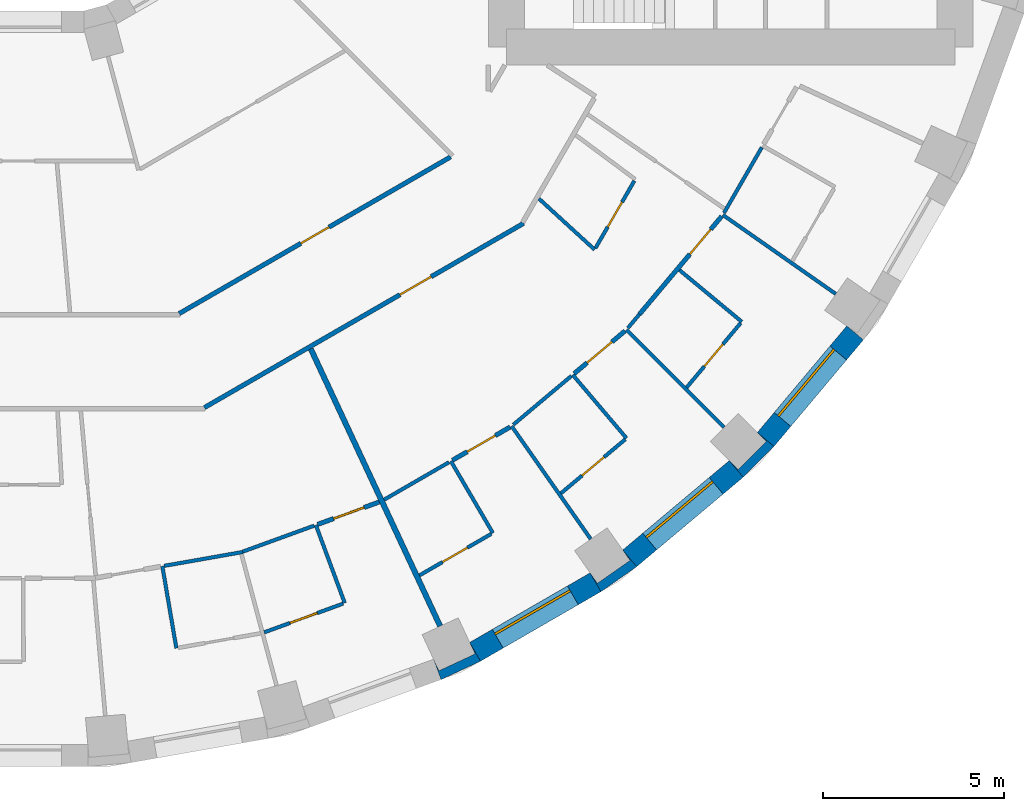
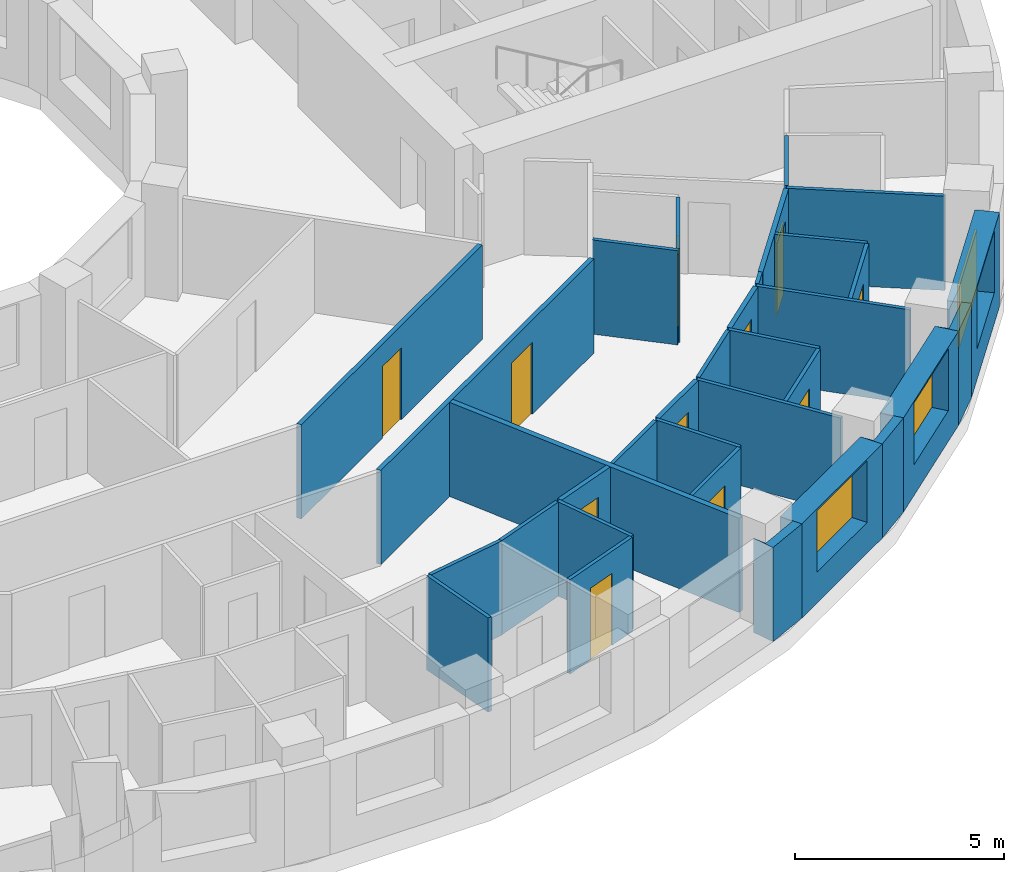
# One storey, part 7 of 15: 33 walls, 11 doors, 3 windows, 14 openings.
"""IFC4 building model written with IfcOpenShell, lengths in metres."""

from ifc_helpers import new_model, si_unit, direction, frame, frame_2d, origin, place, context, subcontext, project, spatial, polyline, rectangle, outline, extrude, material, layer, layer_set, type_object, element, fill, save


model = new_model("IFC4")

# Units and contexts
model_context = context("Model", 3, precision=1e-05, world=origin(), true_north=direction((0.0, 1.0)))
body_context = subcontext(model_context, "Body", "Model", "MODEL_VIEW")
ifc_project = project(units=[si_unit("LENGTHUNIT", "METRE"), si_unit("AREAUNIT", "SQUARE_METRE"), si_unit("VOLUMEUNIT", "CUBIC_METRE"), si_unit("PLANEANGLEUNIT", "RADIAN"), si_unit("MASSUNIT", "GRAM", prefix="KILO")], contexts=[model_context])

# Site, building, storey
site_placement = place(None, origin())
site = spatial("IfcSite", under=ifc_project, at=site_placement, CompositionType="ELEMENT")
building_placement = place(site_placement, origin())
building = spatial("IfcBuilding", under=site, at=building_placement, Name="Saqina Gate Tower", CompositionType="ELEMENT")
storey_placement = place(building_placement, frame((0.0, 0.0, 59.300048828125)))
storey = spatial("IfcBuildingStorey", under=building, at=storey_placement, Name="L16", CompositionType="ELEMENT", Elevation=59.300048828125)

# Walls
ifc_material_1 = material(Name="Brick masonry (red)", Category="masonry")
wall_type_1 = type_object("IfcWallType", Name="BRICK PIER COPING RED", PredefinedType="SOLIDWALL", material=ifc_material_1)
wall_1_placement = place(storey_placement, origin())
element("IfcWall", 1, at=wall_1_placement, inside=storey, type_object=wall_type_1, Name="Pier cap L16 column 30", PredefinedType="SOLIDWALL", context=body_context, shape_type="SweptSolid", body=[
    extrude(outline(polyline([(12.779541015625, -25.980712890625), (12.4794921875, -25.4609375), (12.627685546875, -25.778564453125), (11.630615234375, -26.243408203125), (11.482666015625, -25.92578125), (11.687744140625, -26.48974609375), (12.779541015625, -25.980712890625)])), origin(), (0.0, 0.0, 1.0), 2.75),
])
wall_2_placement = place(storey_placement, origin())
element("IfcWall", 2, at=wall_2_placement, inside=storey, type_object=wall_type_1, Name="Pier cap L16 column 31", PredefinedType="SOLIDWALL", context=body_context, shape_type="SweptSolid", body=[
    extrude(outline(polyline([(16.110107421875, -24.0576171875), (17.096923828125, -23.36669921875), (16.711181640625, -22.9072265625), (16.912109375, -23.194091796875), (16.010986328125, -23.8251953125), (15.81005859375, -23.5380859375), (16.110107421875, -24.0576171875)])), origin(), (0.0, 0.0, 1.0), 2.75),
])
wall_3_placement = place(storey_placement, origin())
element("IfcWall", 3, at=wall_3_placement, inside=storey, type_object=wall_type_1, Name="Pier cap L16 column 32", PredefinedType="SOLIDWALL", context=body_context, shape_type="SweptSolid", body=[
    extrude(outline(polyline([(20.894775390625, -20.04296875), (20.43505859375, -19.6572265625), (20.682861328125, -19.905029296875), (19.905029296875, -20.682861328125), (19.6572265625, -20.43505859375), (20.04296875, -20.894775390625), (20.894775390625, -20.04296875)])), origin(), (0.0, 0.0, 1.0), 2.75),
])

# Wall, opening, window
ifc_material_2 = material(Name="Brick masonry (red)", Category="masonry")
ifc_layer_1 = layer(ifc_material_2, 0.60009765625)
ifc_layer_set_1 = layer_set([ifc_layer_1], Name="FW-BRICK-RED")
wall_type_2 = type_object("IfcWallType", Name="FW-BRICK-RED", PredefinedType="SOLIDWALL", material=ifc_layer_set_1)
wall_4_placement = place(storey_placement, frame((12.629638671875, -25.720703125, 0.0), z_axis=(0.0, 0.0, 1.0), x_axis=(0.86603124159, 0.499989888488, 0.0)))
wall_4 = element("IfcWall", 4, at=wall_4_placement, inside=storey, type_object=wall_type_2, Name="Facade wall L16 facet 30", PredefinedType="SOLIDWALL", context=body_context, shape_type="SweptSolid", body=[
    extrude(rectangle(XDim=3.845703125, YDim=0.60009765625, at=frame_2d((1.9228515625, 0.0))), origin(), (0.0, 0.0, 1.0), 2.75),
])
opening_1_placement = place(wall_4_placement, frame((0.722900390625, 0.0, 0.89990234375)))
opening_1 = element("IfcOpeningElement", 5, at=opening_1_placement, cuts=wall_4, Name="Opening G04-W20", PredefinedType="OPENING", context=body_context, shape_type="SweptSolid", body=[
    extrude(rectangle(XDim=2.39990234375, YDim=1.800048828125, at=frame_2d((1.199951171875, 0.89990234375))), frame((0.0, 0.31201171875, 0.0), z_axis=(0.0, -1.0, 0.0), x_axis=(1.0, 0.0, 0.0)), (0.0, 0.0, 1.0), 0.6240234375),
])
ifc_material_3 = material(Name="Aluminium glazing", Category="aluminium")
window_type = type_object("IfcWindowType", Name="WN-A", PartitioningType="SINGLE_PANEL", PredefinedType="WINDOW", material=ifc_material_3)
window_1_placement = place(opening_1_placement, origin())
window_1 = element("IfcWindow", 6, at=window_1_placement, inside=storey, type_object=window_type, Name="Window L16 facet 30", OverallHeight=1.800048828125, OverallWidth=2.39990234375, PartitioningType="SINGLE_PANEL", PredefinedType="WINDOW", context=body_context, shape_type="SweptSolid", body=[
    extrude(rectangle(XDim=2.39990234375, YDim=1.800048828125, at=frame_2d((1.199951171875, 0.89990234375))), frame((0.0, 0.179931640625, 0.0), z_axis=(0.0, -1.0, 0.0), x_axis=(1.0, 0.0, 0.0)), (0.0, 0.0, 1.0), 0.06005859375),
])
fill(opening_1, window_1)

wall_5_placement = place(storey_placement, frame((16.904052734375, -23.136962890625, 0.0), z_axis=(0.0, 0.0, 1.0), x_axis=(0.766026164483, 0.642809392687, 0.0)))
wall_5 = element("IfcWall", 7, at=wall_5_placement, inside=storey, type_object=wall_type_2, Name="Facade wall L16 facet 31", PredefinedType="SOLIDWALL", context=body_context, shape_type="SweptSolid", body=[
    extrude(rectangle(XDim=3.845947265625, YDim=0.60009765625, at=frame_2d((1.9228515625, 0.0))), origin(), (0.0, 0.0, 1.0), 2.75),
])
opening_2_placement = place(wall_5_placement, frame((0.722900390625, 0.0, 0.89990234375)))
opening_2 = element("IfcOpeningElement", 8, at=opening_2_placement, cuts=wall_5, Name="Opening G04-W21", PredefinedType="OPENING", context=body_context, shape_type="SweptSolid", body=[
    extrude(rectangle(XDim=2.39990234375, YDim=1.800048828125, at=frame_2d((1.199951171875, 0.89990234375))), frame((0.0, 0.31201171875, 0.0), z_axis=(0.0, -1.0, 0.0), x_axis=(1.0, 0.0, 0.0)), (0.0, 0.0, 1.0), 0.6240234375),
])
window_2_placement = place(opening_2_placement, origin())
window_2 = element("IfcWindow", 9, at=window_2_placement, inside=storey, type_object=window_type, Name="Window L16 facet 31", OverallHeight=1.800048828125, OverallWidth=2.39990234375, PartitioningType="SINGLE_PANEL", PredefinedType="WINDOW", context=body_context, shape_type="SweptSolid", body=[
    extrude(rectangle(XDim=2.39990234375, YDim=1.800048828125, at=frame_2d((1.199951171875, 0.89990234375))), frame((0.0, 0.179931640625, 0.0), z_axis=(0.0, -1.0, 0.0), x_axis=(1.0, 0.0, 0.0)), (0.0, 0.0, 1.0), 0.06005859375),
])
fill(opening_2, window_2)

wall_6_placement = place(storey_placement, frame((20.664794921875, -19.85009765625, 0.0), z_axis=(0.0, 0.0, 1.0), x_axis=(0.642809392687, 0.766026164483, 0.0)))
wall_6 = element("IfcWall", 10, at=wall_6_placement, inside=storey, type_object=wall_type_2, Name="Facade wall L16 facet 32", PredefinedType="SOLIDWALL", context=body_context, shape_type="SweptSolid", body=[
    extrude(rectangle(XDim=3.845947265625, YDim=0.60009765625, at=frame_2d((1.9228515625, 0.0))), origin(), (0.0, 0.0, 1.0), 2.75),
])
opening_3_placement = place(wall_6_placement, frame((0.722900390625, 0.0, 0.89990234375)))
opening_3 = element("IfcOpeningElement", 11, at=opening_3_placement, cuts=wall_6, Name="Opening G04-W22", PredefinedType="OPENING", context=body_context, shape_type="SweptSolid", body=[
    extrude(rectangle(XDim=2.39990234375, YDim=1.800048828125, at=frame_2d((1.199951171875, 0.89990234375))), frame((0.0, 0.31201171875, 0.0), z_axis=(0.0, -1.0, 0.0), x_axis=(1.0, 0.0, 0.0)), (0.0, 0.0, 1.0), 0.6240234375),
])
window_3_placement = place(opening_3_placement, origin())
window_3 = element("IfcWindow", 12, at=window_3_placement, inside=storey, type_object=window_type, Name="Window L16 facet 32", OverallHeight=1.800048828125, OverallWidth=2.39990234375, PartitioningType="SINGLE_PANEL", PredefinedType="WINDOW", context=body_context, shape_type="SweptSolid", body=[
    extrude(rectangle(XDim=2.39990234375, YDim=1.800048828125, at=frame_2d((1.199951171875, 0.89990234375))), frame((0.0, 0.179931640625, 0.0), z_axis=(0.0, -1.0, 0.0), x_axis=(1.0, 0.0, 0.0)), (0.0, 0.0, 1.0), 0.06005859375),
])
fill(opening_3, window_3)

# Walls
ifc_material_4 = material(Name="Gypsum board on steel studs, 100 mm", Category="steel")
ifc_layer_2 = layer(ifc_material_4, 0.10009765625)
ifc_layer_set_2 = layer_set([ifc_layer_2], Name="PARTITION 100")
wall_type_3 = type_object("IfcWallType", Name="PARTITION 100", PredefinedType="PARTITIONING", material=ifc_layer_set_2)
wall_7_placement = place(storey_placement, frame((3.98291015625, -23.35302734375, 0.0), z_axis=(0.0, 0.0, 1.0), x_axis=(0.168356840278, -0.985726115273, 0.0)))
element("IfcWall", 13, at=wall_7_placement, inside=storey, type_object=wall_type_3, Name="PARTITION PW3-07", PredefinedType="PARTITIONING", context=body_context, shape_type="SweptSolid", body=[
    extrude(rectangle(XDim=2.2998046875, YDim=0.10009765625, at=frame_2d((1.14990234375, 0.0))), origin(), (0.0, 0.0, 1.0), 2.75),
])
wall_8_placement = place(storey_placement, frame((8.22705078125, -22.216064453125, 0.0), z_axis=(0.0, 0.0, 1.0), x_axis=(0.347431936108, -0.937705204087, 0.0)))
element("IfcWall", 14, at=wall_8_placement, inside=storey, type_object=wall_type_3, Name="PARTITION PW3-13", PredefinedType="PARTITIONING", context=body_context, shape_type="SweptSolid", body=[
    extrude(rectangle(XDim=2.29931640625, YDim=0.10009765625, at=frame_2d((1.149658203125, 0.0))), origin(), (0.0, 0.0, 1.0), 2.75),
])
wall_9_placement = place(storey_placement, frame((11.9599609375, -20.448974609375, 0.0), z_axis=(0.0, 0.0, 1.0), x_axis=(0.504708754908, -0.863289680651, 0.0)))
element("IfcWall", 15, at=wall_9_placement, inside=storey, type_object=wall_type_3, Name="PARTITION PW3-18", PredefinedType="PARTITIONING", context=body_context, shape_type="SweptSolid", body=[
    extrude(rectangle(XDim=2.300537109375, YDim=0.10009765625, at=frame_2d((1.150390625, 0.0))), origin(), (0.0, 0.0, 1.0), 2.75),
])
wall_10_placement = place(storey_placement, frame((13.639892578125, -19.47998046875, 0.0), z_axis=(0.0, 0.0, 1.0), x_axis=(0.573574167811, -0.819153632733, 0.0)))
element("IfcWall", 16, at=wall_10_placement, inside=storey, type_object=wall_type_3, Name="PARTITION PW3-20", PredefinedType="PARTITIONING", context=body_context, shape_type="SweptSolid", body=[
    extrude(rectangle(XDim=3.8095703125, YDim=0.10009765625, at=frame_2d((1.90478515625, 0.0))), origin(), (0.0, 0.0, 1.0), 2.75),
])
wall_11_placement = place(storey_placement, frame((15.3291015625, -18.06201171875, 0.0), z_axis=(0.0, 0.0, 1.0), x_axis=(0.646883930741, -0.762588473653, 0.0)))
element("IfcWall", 17, at=wall_11_placement, inside=storey, type_object=wall_type_3, Name="PARTITION PW3-24", PredefinedType="PARTITIONING", context=body_context, shape_type="SweptSolid", body=[
    extrude(rectangle(XDim=2.300048828125, YDim=0.10009765625, at=frame_2d((1.14990234375, 0.0))), origin(), (0.0, 0.0, 1.0), 2.75),
])
wall_12_placement = place(storey_placement, frame((16.81494140625, -16.81494140625, 0.0), z_axis=(0.0, 0.0, 1.0), x_axis=(0.707106781187, -0.707106781187, 0.0)))
element("IfcWall", 18, at=wall_12_placement, inside=storey, type_object=wall_type_3, Name="PARTITION PW3-26", PredefinedType="PARTITIONING", context=body_context, shape_type="SweptSolid", body=[
    extrude(rectangle(XDim=3.81005859375, YDim=0.10009765625, at=frame_2d((1.905029296875, 0.0))), origin(), (0.0, 0.0, 1.0), 2.75),
])
wall_13_placement = place(storey_placement, frame((14.394287109375, -13.1904296875, 0.0), z_axis=(0.0, 0.0, 1.0), x_axis=(0.73735307629, -0.675507543175, 0.0)))
element("IfcWall", 19, at=wall_13_placement, inside=storey, type_object=wall_type_3, Name="PARTITION PW3-28", PredefinedType="PARTITIONING", context=body_context, shape_type="SweptSolid", body=[
    extrude(rectangle(XDim=2.08837890625, YDim=0.10009765625, at=frame_2d((1.044189453125, 0.0))), origin(), (0.0, 0.0, 1.0), 2.75),
])
wall_14_placement = place(storey_placement, frame((18.281005859375, -15.166015625, 0.0), z_axis=(0.0, 0.0, 1.0), x_axis=(0.769748804589, -0.638346910257, 0.0)))
element("IfcWall", 20, at=wall_14_placement, inside=storey, type_object=wall_type_3, Name="PARTITION PW3-33", PredefinedType="PARTITIONING", context=body_context, shape_type="SweptSolid", body=[
    extrude(rectangle(XDim=2.237060546875, YDim=0.10009765625, at=frame_2d((1.11865234375, 0.0))), origin(), (0.0, 0.0, 1.0), 2.75),
])
wall_15_placement = place(storey_placement, frame((19.47998046875, -13.639892578125, 0.0), z_axis=(0.0, 0.0, 1.0), x_axis=(0.819153632733, -0.573574167811, 0.0)))
element("IfcWall", 21, at=wall_15_placement, inside=storey, type_object=wall_type_3, Name="PARTITION PW3-37", PredefinedType="PARTITIONING", context=body_context, shape_type="SweptSolid", body=[
    extrude(rectangle(XDim=3.8095703125, YDim=0.10009765625, at=frame_2d((1.90478515625, 0.0))), origin(), (0.0, 0.0, 1.0), 2.75),
])
wall_16_placement = place(storey_placement, frame((4.0322265625, -23.34423828125, 0.0), z_axis=(0.0, 0.0, 1.0), x_axis=(0.98481362095, 0.173614895648, 0.0)))
element("IfcWall", 22, at=wall_16_placement, inside=storey, type_object=wall_type_3, Name="PARTITION PW3-64", PredefinedType="PARTITIONING", context=body_context, shape_type="SweptSolid", body=[
    extrude(rectangle(XDim=2.206298828125, YDim=0.10009765625, at=frame_2d((1.10302734375, 0.0))), origin(), (0.0, 0.0, 1.0), 2.75),
])

# Wall, opening, door
wall_17_placement = place(storey_placement, frame((6.799072265625, -25.182861328125, 0.0), z_axis=(0.0, 0.0, 1.0), x_axis=(0.939655079874, 0.342123268526, 0.0)))
wall_17 = element("IfcWall", 23, at=wall_17_placement, inside=storey, type_object=wall_type_3, Name="PARTITION PW3-67", PredefinedType="PARTITIONING", context=body_context, shape_type="SweptSolid", body=[
    extrude(rectangle(XDim=2.31982421875, YDim=0.10009765625, at=frame_2d((1.159912109375, 0.0))), origin(), (0.0, 0.0, 1.0), 2.75),
])
opening_4_placement = place(wall_17_placement, frame((0.760009765625, 0.0, 0.0)))
opening_4 = element("IfcOpeningElement", 24, at=opening_4_placement, cuts=wall_17, Name="Opening G04-D54", PredefinedType="OPENING", context=body_context, shape_type="SweptSolid", body=[
    extrude(rectangle(XDim=0.800048828125, YDim=2.10009765625, at=frame_2d((0.39990234375, 1.050048828125))), frame((0.0, 0.06201171875, 0.0), z_axis=(0.0, -1.0, 0.0), x_axis=(1.0, 0.0, 0.0)), (0.0, 0.0, 1.0), 0.1240234375),
])
ifc_material_5 = material(Name="Timber door leaf, 800 mm", Category="wood")
door_type_1 = type_object("IfcDoorType", Name="DOOR 800 TIMBER", OperationType="SINGLE_SWING_LEFT", PredefinedType="DOOR", material=ifc_material_5)
door_1_placement = place(opening_4_placement, frame((0.800048828125, 0.0, 0.0), z_axis=(0.0, 0.0, 1.0), x_axis=(-1.0, 0.0, 0.0)))
door_1 = element("IfcDoor", 25, at=door_1_placement, inside=storey, type_object=door_type_1, Name="DOOR G04-D54", OperationType="SINGLE_SWING_RIGHT", OverallHeight=2.10009765625, OverallWidth=0.800048828125, PredefinedType="DOOR", context=body_context, shape_type="SweptSolid", body=[
    extrude(rectangle(XDim=0.800048828125, YDim=2.10009765625, at=frame_2d((0.39990234375, 1.050048828125))), frame((0.0, 0.02490234375, 0.0), z_axis=(0.0, -1.0, 0.0), x_axis=(1.0, 0.0, 0.0)), (0.0, 0.0, 1.0), 0.050048828125),
])
fill(opening_4, door_1)

# Wall
wall_18_placement = place(storey_placement, frame((6.201904296875, -22.952880859375, 0.0), z_axis=(0.0, 0.0, 1.0), x_axis=(0.939725675468, 0.341929312674, 0.0)))
element("IfcWall", 26, at=wall_18_placement, inside=storey, type_object=wall_type_3, Name="PARTITION PW3-68", PredefinedType="PARTITIONING", context=body_context, shape_type="SweptSolid", body=[
    extrude(rectangle(XDim=2.10498046875, YDim=0.10009765625, at=frame_2d((1.052490234375, 0.0))), origin(), (0.0, 0.0, 1.0), 2.75),
])

# Wall, opening, door
wall_19_placement = place(storey_placement, frame((11.091064453125, -23.607421875, 0.0), z_axis=(0.0, 0.0, 1.0), x_axis=(0.865928578621, 0.500167668615, 0.0)))
wall_19 = element("IfcWall", 27, at=wall_19_placement, inside=storey, type_object=wall_type_3, Name="PARTITION PW3-72", PredefinedType="PARTITIONING", context=body_context, shape_type="SweptSolid", body=[
    extrude(rectangle(XDim=2.294189453125, YDim=0.10009765625, at=frame_2d((1.14697265625, 0.0))), origin(), (0.0, 0.0, 1.0), 2.75),
])
opening_5_placement = place(wall_19_placement, frame((0.734619140625, 0.0, 0.0)))
opening_5 = element("IfcOpeningElement", 28, at=opening_5_placement, cuts=wall_19, Name="Opening G04-D56", PredefinedType="OPENING", context=body_context, shape_type="SweptSolid", body=[
    extrude(rectangle(XDim=0.800048828125, YDim=2.10009765625, at=frame_2d((0.39990234375, 1.050048828125))), frame((0.0, 0.06201171875, 0.0), z_axis=(0.0, -1.0, 0.0), x_axis=(1.0, 0.0, 0.0)), (0.0, 0.0, 1.0), 0.1240234375),
])
door_2_placement = place(opening_5_placement, frame((0.800048828125, 0.0, 0.0), z_axis=(0.0, 0.0, 1.0), x_axis=(-1.0, 0.0, 0.0)))
door_2 = element("IfcDoor", 29, at=door_2_placement, inside=storey, type_object=door_type_1, Name="DOOR G04-D56", OperationType="SINGLE_SWING_RIGHT", OverallHeight=2.10009765625, OverallWidth=0.800048828125, PredefinedType="DOOR", context=body_context, shape_type="SweptSolid", body=[
    extrude(rectangle(XDim=0.800048828125, YDim=2.10009765625, at=frame_2d((0.39990234375, 1.050048828125))), frame((0.0, 0.02490234375, 0.0), z_axis=(0.0, -1.0, 0.0), x_axis=(1.0, 0.0, 0.0)), (0.0, 0.0, 1.0), 0.050048828125),
])
fill(opening_5, door_2)

# Wall
wall_20_placement = place(storey_placement, frame((10.114990234375, -21.514404296875, 0.0), z_axis=(0.0, 0.0, 1.0), x_axis=(0.865967335607, 0.500100563549, 0.0)))
element("IfcWall", 30, at=wall_20_placement, inside=storey, type_object=wall_type_3, Name="PARTITION PW3-73", PredefinedType="PARTITIONING", context=body_context, shape_type="SweptSolid", body=[
    extrude(rectangle(XDim=2.06787109375, YDim=0.10009765625, at=frame_2d((1.033935546875, 0.0))), origin(), (0.0, 0.0, 1.0), 2.75),
])

# Wall, opening, door
wall_21_placement = place(storey_placement, frame((15.002197265625, -21.3388671875, 0.0), z_axis=(0.0, 0.0, 1.0), x_axis=(0.766051078848, 0.642779701449, 0.0)))
wall_21 = element("IfcWall", 31, at=wall_21_placement, inside=storey, type_object=wall_type_3, Name="PARTITION PW3-79", PredefinedType="PARTITIONING", context=body_context, shape_type="SweptSolid", body=[
    extrude(rectangle(XDim=2.319091796875, YDim=0.10009765625, at=frame_2d((1.15966796875, 0.0))), origin(), (0.0, 0.0, 1.0), 2.75),
])
opening_6_placement = place(wall_21_placement, frame((0.759521484375, 0.0, 0.0)))
opening_6 = element("IfcOpeningElement", 32, at=opening_6_placement, cuts=wall_21, Name="Opening G04-D61", PredefinedType="OPENING", context=body_context, shape_type="SweptSolid", body=[
    extrude(rectangle(XDim=0.800048828125, YDim=2.10009765625, at=frame_2d((0.39990234375, 1.050048828125))), frame((0.0, 0.06201171875, 0.0), z_axis=(0.0, -1.0, 0.0), x_axis=(1.0, 0.0, 0.0)), (0.0, 0.0, 1.0), 0.1240234375),
])
door_3_placement = place(opening_6_placement, frame((0.800048828125, 0.0, 0.0), z_axis=(0.0, 0.0, 1.0), x_axis=(-1.0, 0.0, 0.0)))
door_3 = element("IfcDoor", 33, at=door_3_placement, inside=storey, type_object=door_type_1, Name="DOOR G04-D61", OperationType="SINGLE_SWING_RIGHT", OverallHeight=2.10009765625, OverallWidth=0.800048828125, PredefinedType="DOOR", context=body_context, shape_type="SweptSolid", body=[
    extrude(rectangle(XDim=0.800048828125, YDim=2.10009765625, at=frame_2d((0.39990234375, 1.050048828125))), frame((0.0, 0.02490234375, 0.0), z_axis=(0.0, -1.0, 0.0), x_axis=(1.0, 0.0, 0.0)), (0.0, 0.0, 1.0), 0.050048828125),
])
fill(opening_6, door_3)

# Wall
wall_22_placement = place(storey_placement, frame((13.68798828125, -19.439697265625, 0.0), z_axis=(0.0, 0.0, 1.0), x_axis=(0.765911671875, 0.642945807114, 0.0)))
element("IfcWall", 34, at=wall_22_placement, inside=storey, type_object=wall_type_3, Name="PARTITION PW3-80", PredefinedType="PARTITIONING", context=body_context, shape_type="SweptSolid", body=[
    extrude(rectangle(XDim=2.092529296875, YDim=0.10009765625, at=frame_2d((1.04638671875, 0.0))), origin(), (0.0, 0.0, 1.0), 2.75),
])

# Wall, opening, door
wall_23_placement = place(storey_placement, frame((18.480224609375, -18.40966796875, 0.0), z_axis=(0.0, 0.0, 1.0), x_axis=(0.642624220064, 0.766181513603, 0.0)))
wall_23 = element("IfcWall", 35, at=wall_23_placement, inside=storey, type_object=wall_type_3, Name="PARTITION PW3-85", PredefinedType="PARTITIONING", context=body_context, shape_type="SweptSolid", body=[
    extrude(rectangle(XDim=2.31982421875, YDim=0.10009765625, at=frame_2d((1.159912109375, 0.0))), origin(), (0.0, 0.0, 1.0), 2.75),
])
opening_7_placement = place(wall_23_placement, frame((0.760009765625, 0.0, 0.0)))
opening_7 = element("IfcOpeningElement", 36, at=opening_7_placement, cuts=wall_23, Name="Opening G04-D63", PredefinedType="OPENING", context=body_context, shape_type="SweptSolid", body=[
    extrude(rectangle(XDim=0.800048828125, YDim=2.10009765625, at=frame_2d((0.39990234375, 1.050048828125))), frame((0.0, 0.06201171875, 0.0), z_axis=(0.0, -1.0, 0.0), x_axis=(1.0, 0.0, 0.0)), (0.0, 0.0, 1.0), 0.1240234375),
])
door_4_placement = place(opening_7_placement, frame((0.800048828125, 0.0, 0.0), z_axis=(0.0, 0.0, 1.0), x_axis=(-1.0, 0.0, 0.0)))
door_4 = element("IfcDoor", 37, at=door_4_placement, inside=storey, type_object=door_type_1, Name="DOOR G04-D63", OperationType="SINGLE_SWING_LEFT", OverallHeight=2.10009765625, OverallWidth=0.800048828125, PredefinedType="DOOR", context=body_context, shape_type="SweptSolid", body=[
    extrude(rectangle(XDim=0.800048828125, YDim=2.10009765625, at=frame_2d((0.39990234375, 1.050048828125))), frame((0.0, 0.02490234375, 0.0), z_axis=(0.0, -1.0, 0.0), x_axis=(1.0, 0.0, 0.0)), (0.0, 0.0, 1.0), 0.050048828125),
])
fill(opening_7, door_4)

# Walls
wall_24_placement = place(storey_placement, frame((16.855224609375, -16.76708984375, 0.0), z_axis=(0.0, 0.0, 1.0), x_axis=(0.643065922472, 0.765810824784, 0.0)))
element("IfcWall", 38, at=wall_24_placement, inside=storey, type_object=wall_type_3, Name="PARTITION PW3-86", PredefinedType="PARTITIONING", context=body_context, shape_type="SweptSolid", body=[
    extrude(rectangle(XDim=0.499267578125, YDim=0.10009765625, at=frame_2d((0.24951171875, 0.0))), origin(), (0.0, 0.0, 1.0), 2.75),
])
wall_25_placement = place(storey_placement, frame((19.51123046875, -13.5859375, 0.0), z_axis=(0.0, 0.0, 1.0), x_axis=(0.499752749986, 0.866168106594, 0.0)))
element("IfcWall", 39, at=wall_25_placement, inside=storey, type_object=wall_type_3, Name="PARTITION PW3-92", PredefinedType="PARTITIONING", context=body_context, shape_type="SweptSolid", body=[
    extrude(rectangle(XDim=2.0927734375, YDim=0.10009765625, at=frame_2d((1.04638671875, 0.0))), origin(), (0.0, 0.0, 1.0), 2.75),
])

# Wall, opening, door
wall_26_placement = place(storey_placement, frame((15.958984375, -14.5576171875, 0.0), z_axis=(0.0, 0.0, 1.0), x_axis=(0.500017897371, 0.866015070486, 0.0)))
wall_26 = element("IfcWall", 40, at=wall_26_placement, inside=storey, type_object=wall_type_3, Name="PARTITION PW3-93", PredefinedType="PARTITIONING", context=body_context, shape_type="SweptSolid", body=[
    extrude(rectangle(XDim=2.14599609375, YDim=0.10009765625, at=frame_2d((1.072998046875, 0.0))), origin(), (0.0, 0.0, 1.0), 2.75),
])
opening_8_placement = place(wall_26_placement, frame((0.673095703125, 0.0, 0.0)))
opening_8 = element("IfcOpeningElement", 41, at=opening_8_placement, cuts=wall_26, Name="Opening G04-D64", PredefinedType="OPENING", context=body_context, shape_type="SweptSolid", body=[
    extrude(rectangle(XDim=0.800048828125, YDim=2.10009765625, at=frame_2d((0.39990234375, 1.050048828125))), frame((0.0, 0.06201171875, 0.0), z_axis=(0.0, -1.0, 0.0), x_axis=(1.0, 0.0, 0.0)), (0.0, 0.0, 1.0), 0.1240234375),
])
door_5_placement = place(opening_8_placement, frame((0.800048828125, 0.0, 0.0), z_axis=(0.0, 0.0, 1.0), x_axis=(-1.0, 0.0, 0.0)))
door_5 = element("IfcDoor", 42, at=door_5_placement, inside=storey, type_object=door_type_1, Name="DOOR G04-D64", OperationType="SINGLE_SWING_LEFT", OverallHeight=2.10009765625, OverallWidth=0.800048828125, PredefinedType="DOOR", context=body_context, shape_type="SweptSolid", body=[
    extrude(rectangle(XDim=0.800048828125, YDim=2.10009765625, at=frame_2d((0.39990234375, 1.050048828125))), frame((0.0, 0.02490234375, 0.0), z_axis=(0.0, -1.0, 0.0), x_axis=(1.0, 0.0, 0.0)), (0.0, 0.0, 1.0), 0.050048828125),
])
fill(opening_8, door_5)

ifc_material_6 = material(Name="Gypsum board on steel studs, 125 mm, fire rated", Category="steel")
ifc_layer_3 = layer(ifc_material_6, 0.125)
ifc_layer_set_3 = layer_set([ifc_layer_3], Name="PARTITION EI 30 125")
wall_type_4 = type_object("IfcWallType", Name="PARTITION EI 30 125", PredefinedType="PARTITIONING", material=ifc_layer_set_3)
wall_27_placement = place(storey_placement, frame((8.27392578125, -22.198974609375, 0.0), z_axis=(0.0, 0.0, 1.0), x_axis=(0.939592989856, 0.342293753104, 0.0)))
wall_27 = element("IfcWall", 43, at=wall_27_placement, inside=storey, type_object=wall_type_4, Name="PARTITION PW1-29", PredefinedType="PARTITIONING", context=body_context, shape_type="SweptSolid", body=[
    extrude(rectangle(XDim=1.815185546875, YDim=0.125, at=frame_2d((0.90771484375, 0.0))), origin(), (0.0, 0.0, 1.0), 2.75),
])
opening_9_placement = place(wall_27_placement, frame((0.47021484375, 0.0, 0.0)))
opening_9 = element("IfcOpeningElement", 44, at=opening_9_placement, cuts=wall_27, Name="Opening G04-D55", PredefinedType="OPENING", context=body_context, shape_type="SweptSolid", body=[
    extrude(rectangle(XDim=0.89990234375, YDim=2.10009765625, at=frame_2d((0.449951171875, 1.050048828125))), frame((0.0, 0.074462890625, 0.0), z_axis=(0.0, -1.0, 0.0), x_axis=(1.0, 0.0, 0.0)), (0.0, 0.0, 1.0), 0.14892578125),
])
ifc_material_7 = material(Name="Fire door leaf EI 30, 900 mm")
door_type_2 = type_object("IfcDoorType", Name="DOOR 900 EI 30", OperationType="SINGLE_SWING_LEFT", PredefinedType="DOOR", material=ifc_material_7)
door_6_placement = place(opening_9_placement, origin())
door_6 = element("IfcDoor", 45, at=door_6_placement, inside=storey, type_object=door_type_2, Name="DOOR G04-D55", OperationType="SINGLE_SWING_RIGHT", OverallHeight=2.10009765625, OverallWidth=0.89990234375, PredefinedType="DOOR", context=body_context, shape_type="SweptSolid", body=[
    extrude(rectangle(XDim=0.89990234375, YDim=2.10009765625, at=frame_2d((0.449951171875, 1.050048828125))), frame((0.0, 0.02490234375, 0.0), z_axis=(0.0, -1.0, 0.0), x_axis=(1.0, 0.0, 0.0)), (0.0, 0.0, 1.0), 0.050048828125),
])
fill(opening_9, door_6)

wall_28_placement = place(storey_placement, frame((12.00341796875, -20.424072265625, 0.0), z_axis=(0.0, 0.0, 1.0), x_axis=(0.866538954681, 0.499109446936, 0.0)))
wall_28 = element("IfcWall", 46, at=wall_28_placement, inside=storey, type_object=wall_type_4, Name="PARTITION PW1-31", PredefinedType="PARTITIONING", context=body_context, shape_type="SweptSolid", body=[
    extrude(rectangle(XDim=1.839111328125, YDim=0.125, at=frame_2d((0.91943359375, 0.0))), origin(), (0.0, 0.0, 1.0), 2.75),
])
opening_10_placement = place(wall_28_placement, frame((0.4697265625, 0.0, 0.0)))
opening_10 = element("IfcOpeningElement", 47, at=opening_10_placement, cuts=wall_28, Name="Opening G04-D59", PredefinedType="OPENING", context=body_context, shape_type="SweptSolid", body=[
    extrude(rectangle(XDim=0.89990234375, YDim=2.10009765625, at=frame_2d((0.449951171875, 1.050048828125))), frame((0.0, 0.074462890625, 0.0), z_axis=(0.0, -1.0, 0.0), x_axis=(1.0, 0.0, 0.0)), (0.0, 0.0, 1.0), 0.14892578125),
])
door_7_placement = place(opening_10_placement, origin())
door_7 = element("IfcDoor", 48, at=door_7_placement, inside=storey, type_object=door_type_2, Name="DOOR G04-D59", OperationType="SINGLE_SWING_RIGHT", OverallHeight=2.10009765625, OverallWidth=0.89990234375, PredefinedType="DOOR", context=body_context, shape_type="SweptSolid", body=[
    extrude(rectangle(XDim=0.89990234375, YDim=2.10009765625, at=frame_2d((0.449951171875, 1.050048828125))), frame((0.0, 0.02490234375, 0.0), z_axis=(0.0, -1.0, 0.0), x_axis=(1.0, 0.0, 0.0)), (0.0, 0.0, 1.0), 0.050048828125),
])
fill(opening_10, door_7)

wall_29_placement = place(storey_placement, frame((5.14501953125, -18.96875, 0.0), z_axis=(0.0, 0.0, 1.0), x_axis=(0.866024825845, 0.50000100102, 0.0)))
wall_29 = element("IfcWall", 49, at=wall_29_placement, inside=storey, type_object=wall_type_4, Name="PARTITION PW1-33", PredefinedType="PARTITIONING", context=body_context, shape_type="SweptSolid", body=[
    extrude(rectangle(XDim=10.19189453125, YDim=0.125, at=frame_2d((5.095947265625, 0.0))), origin(), (0.0, 0.0, 1.0), 2.75),
])
opening_11_placement = place(wall_29_placement, frame((6.24267578125, 0.0, 0.0)))
opening_11 = element("IfcOpeningElement", 50, at=opening_11_placement, cuts=wall_29, Name="Opening G04-D60", PredefinedType="OPENING", context=body_context, shape_type="SweptSolid", body=[
    extrude(rectangle(XDim=1.0, YDim=2.10009765625, at=frame_2d((0.5, 1.050048828125))), frame((0.0, 0.074462890625, 0.0), z_axis=(0.0, -1.0, 0.0), x_axis=(1.0, 0.0, 0.0)), (0.0, 0.0, 1.0), 0.14892578125),
])
ifc_material_8 = material(Name="Fire door leaf EI 30, 1000 mm")
door_type_3 = type_object("IfcDoorType", Name="DOOR 1000 EI 30", OperationType="SINGLE_SWING_LEFT", PredefinedType="DOOR", material=ifc_material_8)
door_8_placement = place(opening_11_placement, frame((1.0, 0.0, 0.0), z_axis=(0.0, 0.0, 1.0), x_axis=(-1.0, 0.0, 0.0)))
door_8 = element("IfcDoor", 51, at=door_8_placement, inside=storey, type_object=door_type_3, Name="DOOR G04-D60", OperationType="SINGLE_SWING_LEFT", OverallHeight=2.10009765625, OverallWidth=1.0, PredefinedType="DOOR", context=body_context, shape_type="SweptSolid", body=[
    extrude(rectangle(XDim=1.0, YDim=2.10009765625, at=frame_2d((0.5, 1.050048828125))), frame((0.0, 0.02490234375, 0.0), z_axis=(0.0, -1.0, 0.0), x_axis=(1.0, 0.0, 0.0)), (0.0, 0.0, 1.0), 0.050048828125),
])
fill(opening_11, door_8)

wall_30_placement = place(storey_placement, frame((4.4482421875, -16.36865234375, 0.0), z_axis=(0.0, 0.0, 1.0), x_axis=(0.866072505035, 0.499918409365, 0.0)))
wall_30 = element("IfcWall", 52, at=wall_30_placement, inside=storey, type_object=wall_type_4, Name="PARTITION PW1-34", PredefinedType="PARTITIONING", context=body_context, shape_type="SweptSolid", body=[
    extrude(rectangle(XDim=8.6640625, YDim=0.125, at=frame_2d((4.33203125, 0.0))), origin(), (0.0, 0.0, 1.0), 2.75),
])
opening_12_placement = place(wall_30_placement, frame((3.882080078125, 0.0, 0.0)))
opening_12 = element("IfcOpeningElement", 53, at=opening_12_placement, cuts=wall_30, Name="Opening G04-D58", PredefinedType="OPENING", context=body_context, shape_type="SweptSolid", body=[
    extrude(rectangle(XDim=0.89990234375, YDim=2.10009765625, at=frame_2d((0.449951171875, 1.050048828125))), frame((0.0, 0.074462890625, 0.0), z_axis=(0.0, -1.0, 0.0), x_axis=(1.0, 0.0, 0.0)), (0.0, 0.0, 1.0), 0.14892578125),
])
door_9_placement = place(opening_12_placement, origin())
door_9 = element("IfcDoor", 54, at=door_9_placement, inside=storey, type_object=door_type_2, Name="DOOR G04-D58", OperationType="SINGLE_SWING_RIGHT", OverallHeight=2.10009765625, OverallWidth=0.89990234375, PredefinedType="DOOR", context=body_context, shape_type="SweptSolid", body=[
    extrude(rectangle(XDim=0.89990234375, YDim=2.10009765625, at=frame_2d((0.449951171875, 1.050048828125))), frame((0.0, 0.02490234375, 0.0), z_axis=(0.0, -1.0, 0.0), x_axis=(1.0, 0.0, 0.0)), (0.0, 0.0, 1.0), 0.050048828125),
])
fill(opening_12, door_9)

wall_31_placement = place(storey_placement, frame((15.3671875, -18.02978515625, 0.0), z_axis=(0.0, 0.0, 1.0), x_axis=(0.766052425686, 0.642778096314, 0.0)))
wall_31 = element("IfcWall", 55, at=wall_31_placement, inside=storey, type_object=wall_type_4, Name="PARTITION PW1-39", PredefinedType="PARTITIONING", context=body_context, shape_type="SweptSolid", body=[
    extrude(rectangle(XDim=1.83984375, YDim=0.125, at=frame_2d((0.919921875, 0.0))), origin(), (0.0, 0.0, 1.0), 2.75),
])
opening_13_placement = place(wall_31_placement, frame((0.469970703125, 0.0, 0.0)))
opening_13 = element("IfcOpeningElement", 56, at=opening_13_placement, cuts=wall_31, Name="Opening G04-D62", PredefinedType="OPENING", context=body_context, shape_type="SweptSolid", body=[
    extrude(rectangle(XDim=0.89990234375, YDim=2.10009765625, at=frame_2d((0.449951171875, 1.050048828125))), frame((0.0, 0.074462890625, 0.0), z_axis=(0.0, -1.0, 0.0), x_axis=(1.0, 0.0, 0.0)), (0.0, 0.0, 1.0), 0.14892578125),
])
door_10_placement = place(opening_13_placement, origin())
door_10 = element("IfcDoor", 57, at=door_10_placement, inside=storey, type_object=door_type_2, Name="DOOR G04-D62", OperationType="SINGLE_SWING_RIGHT", OverallHeight=2.10009765625, OverallWidth=0.89990234375, PredefinedType="DOOR", context=body_context, shape_type="SweptSolid", body=[
    extrude(rectangle(XDim=0.89990234375, YDim=2.10009765625, at=frame_2d((0.449951171875, 1.050048828125))), frame((0.0, 0.02490234375, 0.0), z_axis=(0.0, -1.0, 0.0), x_axis=(1.0, 0.0, 0.0)), (0.0, 0.0, 1.0), 0.050048828125),
])
fill(opening_13, door_10)

wall_32_placement = place(storey_placement, frame((17.176513671875, -16.385009765625, 0.0), z_axis=(0.0, 0.0, 1.0), x_axis=(0.642783651932, 0.766047764052, 0.0)))
wall_32 = element("IfcWall", 58, at=wall_32_placement, inside=storey, type_object=wall_type_4, Name="PARTITION PW1-44", PredefinedType="PARTITIONING", context=body_context, shape_type="SweptSolid", body=[
    extrude(rectangle(XDim=3.533447265625, YDim=0.125, at=frame_2d((1.7666015625, 0.0))), origin(), (0.0, 0.0, 1.0), 2.75),
])
opening_14_placement = place(wall_32_placement, frame((2.16357421875, 0.0, 0.0)))
opening_14 = element("IfcOpeningElement", 59, at=opening_14_placement, cuts=wall_32, Name="Opening G04-D65", PredefinedType="OPENING", context=body_context, shape_type="SweptSolid", body=[
    extrude(rectangle(XDim=0.89990234375, YDim=2.10009765625, at=frame_2d((0.449951171875, 1.050048828125))), frame((0.0, 0.074462890625, 0.0), z_axis=(0.0, -1.0, 0.0), x_axis=(1.0, 0.0, 0.0)), (0.0, 0.0, 1.0), 0.14892578125),
])
door_11_placement = place(opening_14_placement, origin())
door_11 = element("IfcDoor", 60, at=door_11_placement, inside=storey, type_object=door_type_2, Name="DOOR G04-D65", OperationType="SINGLE_SWING_RIGHT", OverallHeight=2.10009765625, OverallWidth=0.89990234375, PredefinedType="DOOR", context=body_context, shape_type="SweptSolid", body=[
    extrude(rectangle(XDim=0.89990234375, YDim=2.10009765625, at=frame_2d((0.449951171875, 1.050048828125))), frame((0.0, 0.02490234375, 0.0), z_axis=(0.0, -1.0, 0.0), x_axis=(1.0, 0.0, 0.0)), (0.0, 0.0, 1.0), 0.050048828125),
])
fill(opening_14, door_11)

# Wall
ifc_material_9 = material(Name="Gypsum board on steel studs, 150 mm, fire rated", Category="steel")
ifc_layer_4 = layer(ifc_material_9, 0.14990234375)
ifc_layer_set_4 = layer_set([ifc_layer_4], Name="PARTITION EI 60 150")
wall_type_5 = type_object("IfcWallType", Name="PARTITION EI 60 150", PredefinedType="PARTITIONING", material=ifc_layer_set_4)
wall_33_placement = place(storey_placement, frame((8.085693359375, -17.343017578125, 0.0), z_axis=(0.0, 0.0, 1.0), x_axis=(0.422898111985, -0.906177238116, 0.0)))
element("IfcWall", 61, at=wall_33_placement, inside=storey, type_object=wall_type_5, Name="PARTITION PW2-02", PredefinedType="PARTITIONING", context=body_context, shape_type="SweptSolid", body=[
    extrude(rectangle(XDim=8.45458984375, YDim=0.14990234375, at=frame_2d((4.227294921875, 0.0))), origin(), (0.0, 0.0, 1.0), 2.75),
])

save(model, "model.ifc")
